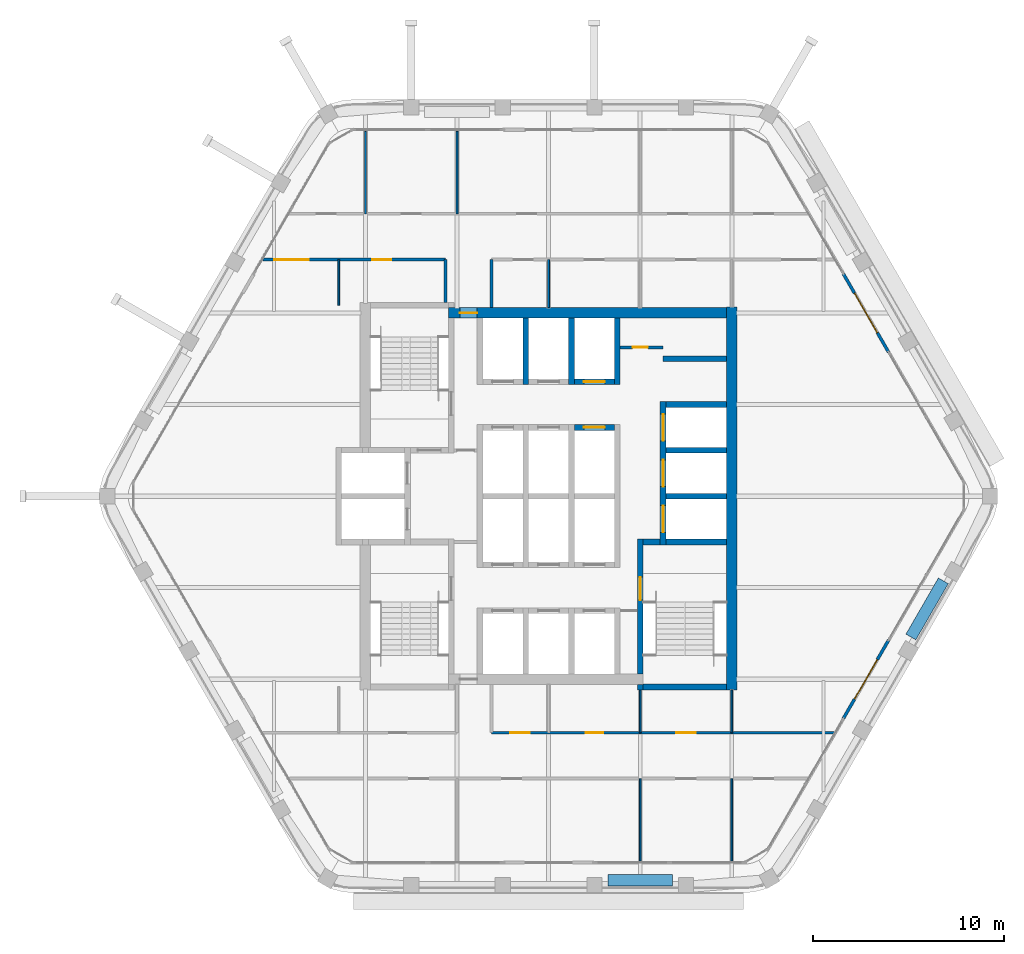
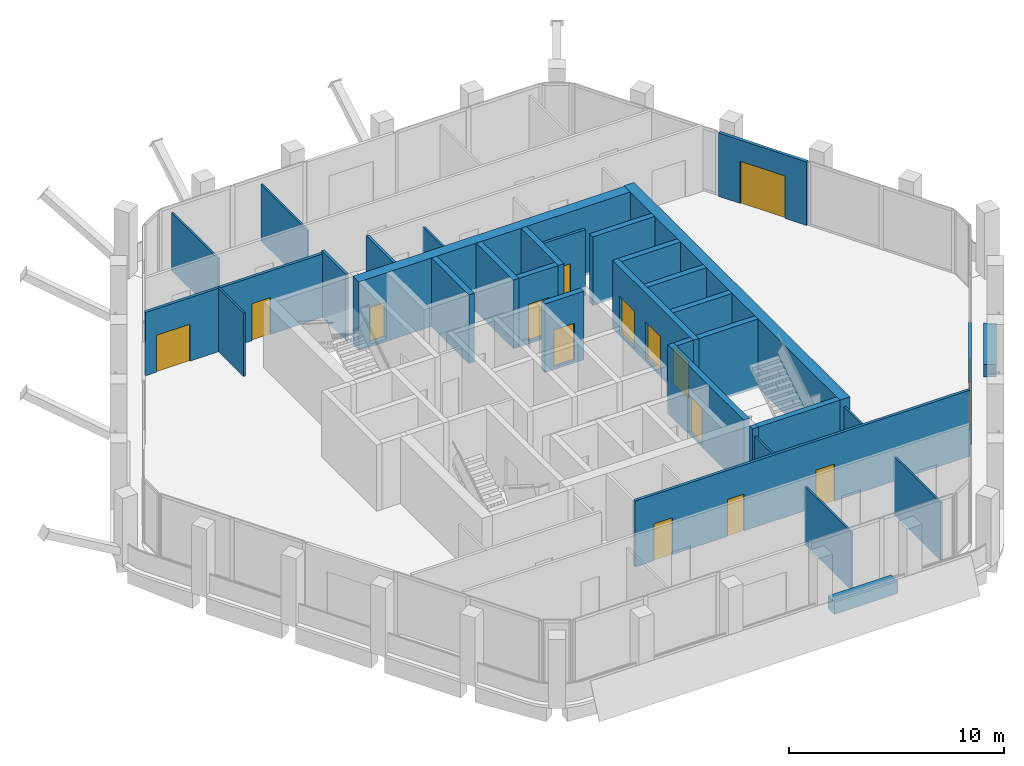
# One storey, part 9 of 14: 34 walls, 15 doors, 15 openings.
"""IFC4 building model written with IfcOpenShell, lengths in metres."""

from ifc_helpers import new_model, si_unit, direction, frame, frame_2d, origin, place, context, subcontext, project, spatial, rectangle, extrude, material, layer, layer_set, type_object, element, fill, save


model = new_model("IFC4")

# Units and contexts
model_context = context("Model", 3, precision=1e-05, world=origin(), true_north=direction((0.0, 1.0)))
body_context = subcontext(model_context, "Body", "Model", "MODEL_VIEW")
ifc_project = project(units=[si_unit("LENGTHUNIT", "METRE"), si_unit("AREAUNIT", "SQUARE_METRE"), si_unit("VOLUMEUNIT", "CUBIC_METRE"), si_unit("PLANEANGLEUNIT", "RADIAN"), si_unit("MASSUNIT", "GRAM", prefix="KILO")], contexts=[model_context])

# Site, building, storey
site_placement = place(None, origin())
site = spatial("IfcSite", under=ifc_project, at=site_placement, CompositionType="ELEMENT")
building_placement = place(site_placement, origin())
building = spatial("IfcBuilding", under=site, at=building_placement, Name="Kolab Exchange Tower", CompositionType="ELEMENT")
storey_placement = place(building_placement, frame((0.0, 0.0, 250.10009765625)))
storey = spatial("IfcBuildingStorey", under=building, at=storey_placement, Name="L55", CompositionType="ELEMENT", Elevation=250.10009765625)

# Wall, opening, door
ifc_material_1 = material(Name="Concrete C50/60", Category="concrete")
ifc_layer_1 = layer(ifc_material_1, 0.550048828125)
ifc_layer_set_1 = layer_set([ifc_layer_1], Name="Concrete C50/60")
wall_type_1 = type_object("IfcWallType", Name="CORE WALL 550 C50/60", PredefinedType="SHEAR", material=ifc_layer_set_1)
wall_1_placement = place(storey_placement, frame((-5.25, 9.60009765625, -0.150146484375), z_axis=(0.0, 0.0, 1.0), x_axis=(1.0, 0.0, 0.0)))
wall_1 = element("IfcWall", 1, at=wall_1_placement, inside=storey, type_object=wall_type_1, Name="wall/L55/core/031", PredefinedType="SHEAR", context=body_context, shape_type="SweptSolid", body=[
    extrude(rectangle(XDim=14.574951171875, YDim=0.550048828125, at=frame_2d((7.28759765625, 0.0))), origin(), (0.0, 0.0, 1.0), 3.900146484375),
])
opening_1_placement = place(wall_1_placement, frame((0.60009765625, 0.0, 0.14990234375)))
opening_1 = element("IfcOpeningElement", 2, at=opening_1_placement, cuts=wall_1, Name="Opening D6-295", PredefinedType="OPENING", context=body_context, shape_type="SweptSolid", body=[
    extrude(rectangle(XDim=0.89990234375, YDim=2.10009765625, at=frame_2d((0.449951171875, 1.050048828125))), frame((0.0, 0.28515625, 0.0), z_axis=(0.0, -1.0, 0.0), x_axis=(1.0, 0.0, 0.0)), (0.0, 0.0, 1.0), 0.570068359375),
])
ifc_material_2 = material(Name="Steel S235", Category="steel")
door_type_1 = type_object("IfcDoorType", Name="CORE DOOR 900 EI 120", OperationType="SINGLE_SWING_LEFT", PredefinedType="DOOR", material=ifc_material_2)
door_1_placement = place(opening_1_placement, frame((0.89990234375, 0.0, 0.0), z_axis=(0.0, 0.0, 1.0), x_axis=(-1.0, 0.0, 0.0)))
door_1 = element("IfcDoor", 3, at=door_1_placement, inside=storey, type_object=door_type_1, Name="Core lobby door", OperationType="SINGLE_SWING_RIGHT", OverallHeight=2.10009765625, OverallWidth=0.89990234375, PredefinedType="DOOR", context=body_context, shape_type="SweptSolid", body=[
    extrude(rectangle(XDim=0.89990234375, YDim=2.10009765625, at=frame_2d((0.449951171875, 1.050048828125))), frame((0.0, 0.02490234375, 0.0), z_axis=(0.0, -1.0, 0.0), x_axis=(1.0, 0.0, 0.0)), (0.0, 0.0, 1.0), 0.050048828125),
])
fill(opening_1, door_1)

# Wall
wall_2_placement = place(storey_placement, frame((9.60009765625, -10.14990234375, -0.150146484375), z_axis=(0.0, 0.0, 1.0), x_axis=(0.0, 1.0, 0.0)))
element("IfcWall", 4, at=wall_2_placement, inside=storey, type_object=wall_type_1, Name="wall/L55/core/058", PredefinedType="SHEAR", context=body_context, shape_type="SweptSolid", body=[
    extrude(rectangle(XDim=20.074951171875, YDim=0.550048828125, at=frame_2d((10.03759765625, 0.0))), origin(), (0.0, 0.0, 1.0), 3.900146484375),
])

# Wall, opening, door
ifc_material_3 = material(Name="Aluminium EN AW-6063 T6", Category="aluminium")
ifc_layer_2 = layer(ifc_material_3, 0.159912109375)
ifc_layer_set_2 = layer_set([ifc_layer_2], Name="Aluminium EN AW-6063 T6")
wall_type_2 = type_object("IfcWallType", Name="DOOR SURROUND WALL 160 ALUMINIUM FRAMED", PredefinedType="PARTITIONING", material=ifc_layer_set_2)
wall_3_placement = place(storey_placement, frame((15.44677734375, 11.65478515625, 0.0), z_axis=(0.0, 0.0, 1.0), x_axis=(0.499978080042, -0.866038058908, 0.0)))
wall_3 = element("IfcWall", 5, at=wall_3_placement, inside=storey, type_object=wall_type_2, Name="Door surround wall", PredefinedType="PARTITIONING", context=body_context, shape_type="SweptSolid", body=[
    extrude(rectangle(XDim=4.739990234375, YDim=0.159912109375, at=frame_2d((2.3701171875, 0.0))), origin(), (0.0, 0.0, 1.0), 3.599853515625),
])
opening_2_placement = place(wall_3_placement, frame((1.169921875, 0.0, 0.0)))
opening_2 = element("IfcOpeningElement", 6, at=opening_2_placement, cuts=wall_3, Name="Opening GD1-099", PredefinedType="OPENING", context=body_context, shape_type="SweptSolid", body=[
    extrude(rectangle(XDim=2.39990234375, YDim=2.39990234375, at=frame_2d((1.199951171875, 1.199951171875))), frame((0.0, 0.08984375, 0.0), z_axis=(0.0, -1.0, 0.0), x_axis=(1.0, 0.0, 0.0)), (0.0, 0.0, 1.0), 0.179931640625),
])
door_type_2 = type_object("IfcDoorType", Name="LOGGIA SLIDING GLASS DOOR 2400 X 2400", OperationType="DOUBLE_DOOR_SINGLE_SWING", PredefinedType="DOOR", material=ifc_material_3)
door_2_placement = place(opening_2_placement, origin())
door_2 = element("IfcDoor", 7, at=door_2_placement, inside=storey, type_object=door_type_2, Name="Loggia door", OperationType="DOUBLE_DOOR_SLIDING", OverallHeight=2.39990234375, OverallWidth=2.39990234375, PredefinedType="DOOR", context=body_context, shape_type="SweptSolid", body=[
    extrude(rectangle(XDim=2.39990234375, YDim=2.39990234375, at=frame_2d((1.199951171875, 1.199951171875))), frame((0.0, 0.02490234375, 0.0), z_axis=(0.0, -1.0, 0.0), x_axis=(1.0, 0.0, 0.0)), (0.0, 0.0, 1.0), 0.050048828125),
])
fill(opening_2, door_2)

wall_4_placement = place(storey_placement, frame((17.816650390625, -7.5498046875, 0.0), z_axis=(0.0, 0.0, 1.0), x_axis=(-0.499978080042, -0.866038058908, 0.0)))
wall_4 = element("IfcWall", 8, at=wall_4_placement, inside=storey, type_object=wall_type_2, Name="Door surround wall", PredefinedType="PARTITIONING", context=body_context, shape_type="SweptSolid", body=[
    extrude(rectangle(XDim=4.739990234375, YDim=0.159912109375, at=frame_2d((2.3701171875, 0.0))), origin(), (0.0, 0.0, 1.0), 3.599853515625),
])
opening_3_placement = place(wall_4_placement, frame((1.169921875, 0.0, 0.0)))
opening_3 = element("IfcOpeningElement", 9, at=opening_3_placement, cuts=wall_4, Name="Opening GD1-100", PredefinedType="OPENING", context=body_context, shape_type="SweptSolid", body=[
    extrude(rectangle(XDim=2.39990234375, YDim=2.39990234375, at=frame_2d((1.199951171875, 1.199951171875))), frame((0.0, 0.08984375, 0.0), z_axis=(0.0, -1.0, 0.0), x_axis=(1.0, 0.0, 0.0)), (0.0, 0.0, 1.0), 0.179931640625),
])
door_3_placement = place(opening_3_placement, origin())
door_3 = element("IfcDoor", 10, at=door_3_placement, inside=storey, type_object=door_type_2, Name="Loggia door", OperationType="DOUBLE_DOOR_SLIDING", OverallHeight=2.39990234375, OverallWidth=2.39990234375, PredefinedType="DOOR", context=body_context, shape_type="SweptSolid", body=[
    extrude(rectangle(XDim=2.39990234375, YDim=2.39990234375, at=frame_2d((1.199951171875, 1.199951171875))), frame((0.0, 0.02490234375, 0.0), z_axis=(0.0, -1.0, 0.0), x_axis=(1.0, 0.0, 0.0)), (0.0, 0.0, 1.0), 0.050048828125),
])
fill(opening_3, door_3)

# Walls
ifc_layer_3 = layer(ifc_material_1, 0.300048828125)
ifc_layer_set_3 = layer_set([ifc_layer_3], Name="Concrete C50/60")
wall_type_3 = type_object("IfcWallType", Name="LIFT SHAFT WALL 300 C50/60", PredefinedType="STANDARD", material=ifc_layer_set_3)
for number, where, z_axis, x_axis, name in (
    (11, (6.14990234375, 0.0, -0.150146484375), (0.0, 0.0, 1.0), (1.0, 0.0, 0.0), "wall/L55/core/018"),
    (12, (6.14990234375, 2.39990234375, -0.150146484375), (0.0, 0.0, 1.0), (1.0, 0.0, 0.0), "wall/L55/core/022"),
):
    element("IfcWall", number, at=place(storey_placement, frame(where, z_axis=z_axis, x_axis=x_axis)), inside=storey, type_object=wall_type_3, Name=name, PredefinedType="STANDARD", context=body_context, shape_type="SweptSolid", body=[
        extrude(rectangle(XDim=3.175048828125, YDim=0.300048828125, at=frame_2d((1.58740234375, 0.0))), origin(), (0.0, 0.0, 1.0), 3.900146484375),
    ])

# Wall, opening, door
wall_5_placement = place(storey_placement, frame((1.35009765625, 3.60009765625, -0.150146484375), z_axis=(0.0, 0.0, 1.0), x_axis=(1.0, 0.0, 0.0)))
wall_5 = element("IfcWall", 13, at=wall_5_placement, inside=storey, type_object=wall_type_3, Name="wall/L55/core/025", PredefinedType="STANDARD", context=body_context, shape_type="SweptSolid", body=[
    extrude(rectangle(XDim=2.099853515625, YDim=0.300048828125, at=frame_2d((1.0498046875, 0.0))), origin(), (0.0, 0.0, 1.0), 3.900146484375),
])
opening_4_placement = place(wall_5_placement, frame((0.5, 0.0, 0.14990234375)))
opening_4 = element("IfcOpeningElement", 14, at=opening_4_placement, cuts=wall_5, Name="Opening LD1-117", PredefinedType="OPENING", context=body_context, shape_type="SweptSolid", body=[
    extrude(rectangle(XDim=1.10009765625, YDim=2.10009765625, at=frame_2d((0.550048828125, 1.050048828125))), frame((0.0, 0.16015625, 0.0), z_axis=(0.0, -1.0, 0.0), x_axis=(1.0, 0.0, 0.0)), (0.0, 0.0, 1.0), 0.320068359375),
])
ifc_material_4 = material(Name="Stainless steel 316", Category="steel")
door_type_3 = type_object("IfcDoorType", Name="LANDING DOOR 1100 PASSENGER", OperationType="DOUBLE_DOOR_SLIDING", PredefinedType="DOOR", material=ifc_material_4)
door_4_placement = place(opening_4_placement, origin())
door_4 = element("IfcDoor", 15, at=door_4_placement, inside=storey, type_object=door_type_3, Name="Landing door HR6", OperationType="DOUBLE_DOOR_SLIDING", OverallHeight=2.10009765625, OverallWidth=1.10009765625, PredefinedType="DOOR", context=body_context, shape_type="SweptSolid", body=[
    extrude(rectangle(XDim=1.10009765625, YDim=2.10009765625, at=frame_2d((0.550048828125, 1.050048828125))), frame((0.0, 0.02490234375, 0.0), z_axis=(0.0, -1.0, 0.0), x_axis=(1.0, 0.0, 0.0)), (0.0, 0.0, 1.0), 0.050048828125),
])
fill(opening_4, door_4)

# Wall
wall_6_placement = place(storey_placement, frame((6.14990234375, 4.800048828125, -0.150146484375), z_axis=(0.0, 0.0, 1.0), x_axis=(1.0, 0.0, 0.0)))
element("IfcWall", 16, at=wall_6_placement, inside=storey, type_object=wall_type_3, Name="wall/L55/core/026", PredefinedType="STANDARD", context=body_context, shape_type="SweptSolid", body=[
    extrude(rectangle(XDim=3.175048828125, YDim=0.300048828125, at=frame_2d((1.58740234375, 0.0))), origin(), (0.0, 0.0, 1.0), 3.900146484375),
])

# Wall, opening, door
wall_7_placement = place(storey_placement, frame((1.35009765625, 6.0, -0.150146484375), z_axis=(0.0, 0.0, 1.0), x_axis=(1.0, 0.0, 0.0)))
wall_7 = element("IfcWall", 17, at=wall_7_placement, inside=storey, type_object=wall_type_3, Name="wall/L55/core/029", PredefinedType="STANDARD", context=body_context, shape_type="SweptSolid", body=[
    extrude(rectangle(XDim=2.099853515625, YDim=0.300048828125, at=frame_2d((1.0498046875, 0.0))), origin(), (0.0, 0.0, 1.0), 3.900146484375),
])
opening_5_placement = place(wall_7_placement, frame((0.5, 0.0, 0.14990234375)))
opening_5 = element("IfcOpeningElement", 18, at=opening_5_placement, cuts=wall_7, Name="Opening LD1-114", PredefinedType="OPENING", context=body_context, shape_type="SweptSolid", body=[
    extrude(rectangle(XDim=1.10009765625, YDim=2.10009765625, at=frame_2d((0.550048828125, 1.050048828125))), frame((0.0, 0.16015625, 0.0), z_axis=(0.0, -1.0, 0.0), x_axis=(1.0, 0.0, 0.0)), (0.0, 0.0, 1.0), 0.320068359375),
])
door_5_placement = place(opening_5_placement, origin())
door_5 = element("IfcDoor", 19, at=door_5_placement, inside=storey, type_object=door_type_3, Name="Landing door HR3", OperationType="DOUBLE_DOOR_SLIDING", OverallHeight=2.10009765625, OverallWidth=1.10009765625, PredefinedType="DOOR", context=body_context, shape_type="SweptSolid", body=[
    extrude(rectangle(XDim=1.10009765625, YDim=2.10009765625, at=frame_2d((0.550048828125, 1.050048828125))), frame((0.0, 0.02490234375, 0.0), z_axis=(0.0, -1.0, 0.0), x_axis=(1.0, 0.0, 0.0)), (0.0, 0.0, 1.0), 0.050048828125),
])
fill(opening_5, door_5)

# Walls
wall_8_placement = place(storey_placement, frame((6.0, 7.199951171875, -0.150146484375), z_axis=(0.0, 0.0, 1.0), x_axis=(1.0, 0.0, 0.0)))
element("IfcWall", 20, at=wall_8_placement, inside=storey, type_object=wall_type_3, Name="wall/L55/core/030", PredefinedType="STANDARD", context=body_context, shape_type="SweptSolid", body=[
    extrude(rectangle(XDim=3.324951171875, YDim=0.300048828125, at=frame_2d((1.66259765625, 0.0))), origin(), (0.0, 0.0, 1.0), 3.900146484375),
])
for number, where, z_axis, x_axis, name in (
    (21, (-1.199951171875, 5.85009765625, -0.150146484375), (0.0, 0.0, 1.0), (0.0, 1.0, 0.0), "wall/L55/core/048"),
    (22, (1.199951171875, 5.85009765625, -0.150146484375), (0.0, 0.0, 1.0), (0.0, 1.0, 0.0), "wall/L55/core/051"),
    (23, (3.60009765625, 5.85009765625, -0.150146484375), (0.0, 0.0, 1.0), (0.0, 1.0, 0.0), "wall/L55/core/054"),
):
    element("IfcWall", number, at=place(storey_placement, frame(where, z_axis=z_axis, x_axis=x_axis)), inside=storey, type_object=wall_type_3, Name=name, PredefinedType="STANDARD", context=body_context, shape_type="SweptSolid", body=[
        extrude(rectangle(XDim=3.474853515625, YDim=0.300048828125, at=frame_2d((1.7373046875, 0.0))), origin(), (0.0, 0.0, 1.0), 3.900146484375),
    ])

# Wall, openings, doors
wall_9_placement = place(storey_placement, frame((6.0, -2.550048828125, -0.150146484375), z_axis=(0.0, 0.0, 1.0), x_axis=(0.0, 1.0, 0.0)))
wall_9 = element("IfcWall", 24, at=wall_9_placement, inside=storey, type_object=wall_type_3, Name="wall/L55/core/057", PredefinedType="STANDARD", context=body_context, shape_type="SweptSolid", body=[
    extrude(rectangle(XDim=7.5, YDim=0.300048828125, at=frame_2d((3.75, 0.0))), origin(), (0.0, 0.0, 1.0), 3.900146484375),
])
opening_6_placement = place(wall_9_placement, frame((0.64990234375, 0.0, 0.14990234375)))
opening_6 = element("IfcOpeningElement", 25, at=opening_6_placement, cuts=wall_9, Name="Opening LD3-037", PredefinedType="OPENING", context=body_context, shape_type="SweptSolid", body=[
    extrude(rectangle(XDim=1.39990234375, YDim=2.10009765625, at=frame_2d((0.699951171875, 1.050048828125))), frame((0.0, 0.16015625, 0.0), z_axis=(0.0, -1.0, 0.0), x_axis=(1.0, 0.0, 0.0)), (0.0, 0.0, 1.0), 0.320068359375),
])
opening_7_placement = place(wall_9_placement, frame((3.050048828125, 0.0, 0.14990234375)))
opening_7 = element("IfcOpeningElement", 26, at=opening_7_placement, cuts=wall_9, Name="Opening LD3-038", PredefinedType="OPENING", context=body_context, shape_type="SweptSolid", body=[
    extrude(rectangle(XDim=1.39990234375, YDim=2.10009765625, at=frame_2d((0.699951171875, 1.050048828125))), frame((0.0, 0.16015625, 0.0), z_axis=(0.0, -1.0, 0.0), x_axis=(1.0, 0.0, 0.0)), (0.0, 0.0, 1.0), 0.320068359375),
])
opening_8_placement = place(wall_9_placement, frame((5.449951171875, 0.0, 0.14990234375)))
opening_8 = element("IfcOpeningElement", 27, at=opening_8_placement, cuts=wall_9, Name="Opening LD3-039", PredefinedType="OPENING", context=body_context, shape_type="SweptSolid", body=[
    extrude(rectangle(XDim=1.39990234375, YDim=2.10009765625, at=frame_2d((0.699951171875, 1.050048828125))), frame((0.0, 0.16015625, 0.0), z_axis=(0.0, -1.0, 0.0), x_axis=(1.0, 0.0, 0.0)), (0.0, 0.0, 1.0), 0.320068359375),
])
door_type_4 = type_object("IfcDoorType", Name="LANDING DOOR 1400 SERVICE", OperationType="DOUBLE_DOOR_SLIDING", PredefinedType="DOOR", material=ifc_material_4)
door_6_placement = place(opening_6_placement, origin())
door_6 = element("IfcDoor", 28, at=door_6_placement, inside=storey, type_object=door_type_4, Name="Landing door SV1", OperationType="DOUBLE_DOOR_SLIDING", OverallHeight=2.10009765625, OverallWidth=1.39990234375, PredefinedType="DOOR", context=body_context, shape_type="SweptSolid", body=[
    extrude(rectangle(XDim=1.39990234375, YDim=2.10009765625, at=frame_2d((0.699951171875, 1.050048828125))), frame((0.0, 0.02490234375, 0.0), z_axis=(0.0, -1.0, 0.0), x_axis=(1.0, 0.0, 0.0)), (0.0, 0.0, 1.0), 0.050048828125),
])
fill(opening_6, door_6)
door_7_placement = place(opening_7_placement, origin())
door_7 = element("IfcDoor", 29, at=door_7_placement, inside=storey, type_object=door_type_4, Name="Landing door SV2", OperationType="DOUBLE_DOOR_SLIDING", OverallHeight=2.10009765625, OverallWidth=1.39990234375, PredefinedType="DOOR", context=body_context, shape_type="SweptSolid", body=[
    extrude(rectangle(XDim=1.39990234375, YDim=2.10009765625, at=frame_2d((0.699951171875, 1.050048828125))), frame((0.0, 0.02490234375, 0.0), z_axis=(0.0, -1.0, 0.0), x_axis=(1.0, 0.0, 0.0)), (0.0, 0.0, 1.0), 0.050048828125),
])
fill(opening_7, door_7)
door_8_placement = place(opening_8_placement, origin())
door_8 = element("IfcDoor", 30, at=door_8_placement, inside=storey, type_object=door_type_4, Name="Landing door SV3", OperationType="DOUBLE_DOOR_SLIDING", OverallHeight=2.10009765625, OverallWidth=1.39990234375, PredefinedType="DOOR", context=body_context, shape_type="SweptSolid", body=[
    extrude(rectangle(XDim=1.39990234375, YDim=2.10009765625, at=frame_2d((0.699951171875, 1.050048828125))), frame((0.0, 0.02490234375, 0.0), z_axis=(0.0, -1.0, 0.0), x_axis=(1.0, 0.0, 0.0)), (0.0, 0.0, 1.0), 0.050048828125),
])
fill(opening_8, door_8)

# Walls
ifc_material_5 = material(Name="Gypsum board", Category="gypsum")
ifc_layer_4 = layer(ifc_material_5, 0.10009765625)
ifc_layer_set_4 = layer_set([ifc_layer_4], Name="Gypsum board")
wall_type_4 = type_object("IfcWallType", Name="PARTITION 100", PredefinedType="PARTITIONING", material=ifc_layer_set_4)
wall_10_placement = place(storey_placement, frame((9.60009765625, -19.114501953125, 0.0), z_axis=(0.0, 0.0, 1.0), x_axis=(0.0, 1.0, 0.0)))
element("IfcWall", 31, at=wall_10_placement, inside=storey, type_object=wall_type_4, Name="Partition 000", PredefinedType="PARTITIONING", context=body_context, shape_type="SweptSolid", body=[
    extrude(rectangle(XDim=4.314453125, YDim=0.10009765625, at=frame_2d((2.1572265625, 0.0))), origin(), (0.0, 0.0, 1.0), 3.29296875),
])
wall_11_placement = place(storey_placement, frame((9.60009765625, -12.39990234375, 0.0), z_axis=(0.0, 0.0, 1.0), x_axis=(0.0, 1.0, 0.0)))
element("IfcWall", 32, at=wall_11_placement, inside=storey, type_object=wall_type_4, Name="Partition 001", PredefinedType="PARTITIONING", context=body_context, shape_type="SweptSolid", body=[
    extrude(rectangle(XDim=2.25, YDim=0.10009765625, at=frame_2d((1.125, 0.0))), origin(), (0.0, 0.0, 1.0), 3.29296875),
])
wall_12_placement = place(storey_placement, frame((4.800048828125, -19.114501953125, 0.0), z_axis=(0.0, 0.0, 1.0), x_axis=(0.0, 1.0, 0.0)))
element("IfcWall", 33, at=wall_12_placement, inside=storey, type_object=wall_type_4, Name="Partition 004", PredefinedType="PARTITIONING", context=body_context, shape_type="SweptSolid", body=[
    extrude(rectangle(XDim=4.314453125, YDim=0.10009765625, at=frame_2d((2.1572265625, 0.0))), origin(), (0.0, 0.0, 1.0), 3.29296875),
])
wall_13_placement = place(storey_placement, frame((4.800048828125, -12.39990234375, 0.0), z_axis=(0.0, 0.0, 1.0), x_axis=(0.0, 1.0, 0.0)))
element("IfcWall", 34, at=wall_13_placement, inside=storey, type_object=wall_type_4, Name="Partition 005", PredefinedType="PARTITIONING", context=body_context, shape_type="SweptSolid", body=[
    extrude(rectangle(XDim=2.25, YDim=0.10009765625, at=frame_2d((1.125, 0.0))), origin(), (0.0, 0.0, 1.0), 3.29296875),
])
wall_14_placement = place(storey_placement, frame((0.0, 9.875, 0.0), z_axis=(0.0, 0.0, 1.0), x_axis=(0.0, 1.0, 0.0)))
element("IfcWall", 35, at=wall_14_placement, inside=storey, type_object=wall_type_4, Name="Partition 009", PredefinedType="PARTITIONING", context=body_context, shape_type="SweptSolid", body=[
    extrude(rectangle(XDim=2.52490234375, YDim=0.10009765625, at=frame_2d((1.262451171875, 0.0))), origin(), (0.0, 0.0, 1.0), 3.216796875),
])
wall_15_placement = place(storey_placement, frame((-4.800048828125, 14.800048828125, 0.0), z_axis=(0.0, 0.0, 1.0), x_axis=(0.0, 1.0, 0.0)))
element("IfcWall", 36, at=wall_15_placement, inside=storey, type_object=wall_type_4, Name="Partition 013", PredefinedType="PARTITIONING", context=body_context, shape_type="SweptSolid", body=[
    extrude(rectangle(XDim=4.314453125, YDim=0.10009765625, at=frame_2d((2.1572265625, 0.0))), origin(), (0.0, 0.0, 1.0), 3.216796875),
])
wall_16_placement = place(storey_placement, frame((-9.60009765625, 14.800048828125, 0.0), z_axis=(0.0, 0.0, 1.0), x_axis=(0.0, 1.0, 0.0)))
element("IfcWall", 37, at=wall_16_placement, inside=storey, type_object=wall_type_4, Name="Partition 016", PredefinedType="PARTITIONING", context=body_context, shape_type="SweptSolid", body=[
    extrude(rectangle(XDim=4.314453125, YDim=0.10009765625, at=frame_2d((2.1572265625, 0.0))), origin(), (0.0, 0.0, 1.0), 3.29296875),
])
wall_17_placement = place(storey_placement, frame((-11.0, 10.0, 0.0), z_axis=(0.0, 0.0, 1.0), x_axis=(0.0, 1.0, 0.0)))
element("IfcWall", 38, at=wall_17_placement, inside=storey, type_object=wall_type_4, Name="Partition 018", PredefinedType="PARTITIONING", context=body_context, shape_type="SweptSolid", body=[
    extrude(rectangle(XDim=2.39990234375, YDim=0.10009765625, at=frame_2d((1.199951171875, 0.0))), origin(), (0.0, 0.0, 1.0), 3.599853515625),
])
ifc_layer_5 = layer(ifc_material_5, 0.14990234375)
ifc_layer_set_5 = layer_set([ifc_layer_5], Name="Gypsum board")
wall_type_5 = type_object("IfcWallType", Name="PARTITION 150 FIRE-RATED", PredefinedType="PARTITIONING", material=ifc_layer_set_5)
wall_18_placement = place(storey_placement, frame((-3.0, 9.875, 0.0), z_axis=(0.0, 0.0, 1.0), x_axis=(0.0, 1.0, 0.0)))
element("IfcWall", 39, at=wall_18_placement, inside=storey, type_object=wall_type_5, Name="Partition 011", PredefinedType="PARTITIONING", context=body_context, shape_type="SweptSolid", body=[
    extrude(rectangle(XDim=2.52490234375, YDim=0.14990234375, at=frame_2d((1.262451171875, 0.0))), origin(), (0.0, 0.0, 1.0), 3.75),
])
wall_19_placement = place(storey_placement, frame((-5.39990234375, 10.14990234375, 0.0), z_axis=(0.0, 0.0, 1.0), x_axis=(0.0, 1.0, 0.0)))
element("IfcWall", 40, at=wall_19_placement, inside=storey, type_object=wall_type_5, Name="Partition 015", PredefinedType="PARTITIONING", context=body_context, shape_type="SweptSolid", body=[
    extrude(rectangle(XDim=2.25, YDim=0.14990234375, at=frame_2d((1.125, 0.0))), origin(), (0.0, 0.0, 1.0), 3.75),
])

# Wall, openings, doors
wall_20_placement = place(storey_placement, frame((-3.0, -12.39990234375, 0.0), z_axis=(0.0, 0.0, 1.0), x_axis=(1.0, 0.0, 0.0)))
wall_20 = element("IfcWall", 41, at=wall_20_placement, inside=storey, type_object=wall_type_5, Name="Partition 021", PredefinedType="PARTITIONING", context=body_context, shape_type="SweptSolid", body=[
    extrude(rectangle(XDim=17.97021484375, YDim=0.14990234375, at=frame_2d((8.985107421875, 0.0))), origin(), (0.0, 0.0, 1.0), 3.75),
])
opening_9_placement = place(wall_20_placement, frame((1.0, 0.0, 0.0)))
opening_9 = element("IfcOpeningElement", 42, at=opening_9_placement, cuts=wall_20, Name="Opening D1-675", PredefinedType="OPENING", context=body_context, shape_type="SweptSolid", body=[
    extrude(rectangle(XDim=1.0, YDim=2.10009765625, at=frame_2d((0.5, 1.050048828125))), frame((0.0, 0.0849609375, 0.0), z_axis=(0.0, -1.0, 0.0), x_axis=(1.0, 0.0, 0.0)), (0.0, 0.0, 1.0), 0.169921875),
])
opening_10_placement = place(wall_20_placement, frame((4.949951171875, 0.0, 0.0)))
opening_10 = element("IfcOpeningElement", 43, at=opening_10_placement, cuts=wall_20, Name="Opening D3-080", PredefinedType="OPENING", context=body_context, shape_type="SweptSolid", body=[
    extrude(rectangle(XDim=0.89990234375, YDim=2.10009765625, at=frame_2d((0.449951171875, 1.050048828125))), frame((0.0, 0.0849609375, 0.0), z_axis=(0.0, -1.0, 0.0), x_axis=(1.0, 0.0, 0.0)), (0.0, 0.0, 1.0), 0.169921875),
])
opening_11_placement = place(wall_20_placement, frame((9.699951171875, 0.0, 0.0)))
opening_11 = element("IfcOpeningElement", 44, at=opening_11_placement, cuts=wall_20, Name="Opening D1-676", PredefinedType="OPENING", context=body_context, shape_type="SweptSolid", body=[
    extrude(rectangle(XDim=1.0, YDim=2.10009765625, at=frame_2d((0.5, 1.050048828125))), frame((0.0, 0.0849609375, 0.0), z_axis=(0.0, -1.0, 0.0), x_axis=(1.0, 0.0, 0.0)), (0.0, 0.0, 1.0), 0.169921875),
])
door_type_5 = type_object("IfcDoorType", Name="FLUSH DOOR 1000 FD60", OperationType="SINGLE_SWING_LEFT", PredefinedType="DOOR", material=ifc_material_2)
door_9_placement = place(opening_9_placement, origin())
door_9 = element("IfcDoor", 45, at=door_9_placement, inside=storey, type_object=door_type_5, Name="Door L55-035", OperationType="SINGLE_SWING_LEFT", OverallHeight=2.10009765625, OverallWidth=1.0, PredefinedType="DOOR", context=body_context, shape_type="SweptSolid", body=[
    extrude(rectangle(XDim=1.0, YDim=2.10009765625, at=frame_2d((0.5, 1.050048828125))), frame((0.0, 0.02490234375, 0.0), z_axis=(0.0, -1.0, 0.0), x_axis=(1.0, 0.0, 0.0)), (0.0, 0.0, 1.0), 0.050048828125),
])
fill(opening_9, door_9)
door_10_placement = place(opening_11_placement, origin())
door_10 = element("IfcDoor", 46, at=door_10_placement, inside=storey, type_object=door_type_5, Name="Door L55-037", OperationType="SINGLE_SWING_LEFT", OverallHeight=2.10009765625, OverallWidth=1.0, PredefinedType="DOOR", context=body_context, shape_type="SweptSolid", body=[
    extrude(rectangle(XDim=1.0, YDim=2.10009765625, at=frame_2d((0.5, 1.050048828125))), frame((0.0, 0.02490234375, 0.0), z_axis=(0.0, -1.0, 0.0), x_axis=(1.0, 0.0, 0.0)), (0.0, 0.0, 1.0), 0.050048828125),
])
fill(opening_11, door_10)
door_type_6 = type_object("IfcDoorType", Name="FLUSH DOOR 900 FD60", OperationType="SINGLE_SWING_LEFT", PredefinedType="DOOR", material=ifc_material_2)
door_11_placement = place(opening_10_placement, origin())
door_11 = element("IfcDoor", 47, at=door_11_placement, inside=storey, type_object=door_type_6, Name="Door L55-036", OperationType="SINGLE_SWING_RIGHT", OverallHeight=2.10009765625, OverallWidth=0.89990234375, PredefinedType="DOOR", context=body_context, shape_type="SweptSolid", body=[
    extrude(rectangle(XDim=0.89990234375, YDim=2.10009765625, at=frame_2d((0.449951171875, 1.050048828125))), frame((0.0, 0.02490234375, 0.0), z_axis=(0.0, -1.0, 0.0), x_axis=(1.0, 0.0, 0.0)), (0.0, 0.0, 1.0), 0.050048828125),
])
fill(opening_10, door_11)

# Wall, opening, door
wall_21_placement = place(storey_placement, frame((3.75, 7.800048828125, 0.0), z_axis=(0.0, 0.0, 1.0), x_axis=(1.0, 0.0, 0.0)))
wall_21 = element("IfcWall", 48, at=wall_21_placement, inside=storey, type_object=wall_type_5, Name="Partition 023", PredefinedType="PARTITIONING", context=body_context, shape_type="SweptSolid", body=[
    extrude(rectangle(XDim=2.25, YDim=0.14990234375, at=frame_2d((1.125, 0.0))), origin(), (0.0, 0.0, 1.0), 3.75),
])
opening_12_placement = place(wall_21_placement, frame((0.64990234375, 0.0, 0.0)))
opening_12 = element("IfcOpeningElement", 49, at=opening_12_placement, cuts=wall_21, Name="Opening D7-035", PredefinedType="OPENING", context=body_context, shape_type="SweptSolid", body=[
    extrude(rectangle(XDim=0.800048828125, YDim=2.10009765625, at=frame_2d((0.39990234375, 1.050048828125))), frame((0.0, 0.0849609375, 0.0), z_axis=(0.0, -1.0, 0.0), x_axis=(1.0, 0.0, 0.0)), (0.0, 0.0, 1.0), 0.169921875),
])
door_type_7 = type_object("IfcDoorType", Name="FLUSH DOOR 800 FD60", OperationType="SINGLE_SWING_LEFT", PredefinedType="DOOR", material=ifc_material_2)
door_12_placement = place(opening_12_placement, origin())
door_12 = element("IfcDoor", 50, at=door_12_placement, inside=storey, type_object=door_type_7, Name="Door L55-023", OperationType="SINGLE_SWING_LEFT", OverallHeight=2.10009765625, OverallWidth=0.800048828125, PredefinedType="DOOR", context=body_context, shape_type="SweptSolid", body=[
    extrude(rectangle(XDim=0.800048828125, YDim=2.10009765625, at=frame_2d((0.39990234375, 1.050048828125))), frame((0.0, 0.02490234375, 0.0), z_axis=(0.0, -1.0, 0.0), x_axis=(1.0, 0.0, 0.0)), (0.0, 0.0, 1.0), 0.050048828125),
])
fill(opening_12, door_12)

# Wall, openings, doors
wall_22_placement = place(storey_placement, frame((-14.97021484375, 12.39990234375, 0.0), z_axis=(0.0, 0.0, 1.0), x_axis=(1.0, 0.0, 0.0)))
wall_22 = element("IfcWall", 51, at=wall_22_placement, inside=storey, type_object=wall_type_5, Name="Partition 024", PredefinedType="PARTITIONING", context=body_context, shape_type="SweptSolid", body=[
    extrude(rectangle(XDim=9.5703125, YDim=0.14990234375, at=frame_2d((4.78515625, 0.0))), origin(), (0.0, 0.0, 1.0), 3.599853515625),
])
opening_13_placement = place(wall_22_placement, frame((5.715087890625, 0.0, 0.0)))
opening_13 = element("IfcOpeningElement", 52, at=opening_13_placement, cuts=wall_22, Name="Opening D1-686", PredefinedType="OPENING", context=body_context, shape_type="SweptSolid", body=[
    extrude(rectangle(XDim=1.0, YDim=2.10009765625, at=frame_2d((0.5, 1.050048828125))), frame((0.0, 0.0849609375, 0.0), z_axis=(0.0, -1.0, 0.0), x_axis=(1.0, 0.0, 0.0)), (0.0, 0.0, 1.0), 0.169921875),
])
opening_14_placement = place(wall_22_placement, frame((0.588623046875, 0.0, 0.0)))
opening_14 = element("IfcOpeningElement", 53, at=opening_14_placement, cuts=wall_22, Name="Opening D2-071", PredefinedType="OPENING", context=body_context, shape_type="SweptSolid", body=[
    extrude(rectangle(XDim=1.800048828125, YDim=2.10009765625, at=frame_2d((0.89990234375, 1.050048828125))), frame((0.0, 0.0849609375, 0.0), z_axis=(0.0, -1.0, 0.0), x_axis=(1.0, 0.0, 0.0)), (0.0, 0.0, 1.0), 0.169921875),
])
door_type_8 = type_object("IfcDoorType", Name="DOUBLE DOOR 1800 FD60", OperationType="DOUBLE_DOOR_SINGLE_SWING", PredefinedType="DOOR", material=ifc_material_2)
door_13_placement = place(opening_14_placement, frame((1.800048828125, 0.0, 0.0), z_axis=(0.0, 0.0, 1.0), x_axis=(-1.0, 0.0, 0.0)))
door_13 = element("IfcDoor", 54, at=door_13_placement, inside=storey, type_object=door_type_8, Name="Door L55-049", OperationType="SINGLE_SWING_LEFT", OverallHeight=2.10009765625, OverallWidth=1.800048828125, PredefinedType="DOOR", context=body_context, shape_type="SweptSolid", body=[
    extrude(rectangle(XDim=1.800048828125, YDim=2.10009765625, at=frame_2d((0.89990234375, 1.050048828125))), frame((0.0, 0.02490234375, 0.0), z_axis=(0.0, -1.0, 0.0), x_axis=(1.0, 0.0, 0.0)), (0.0, 0.0, 1.0), 0.050048828125),
])
fill(opening_14, door_13)
door_14_placement = place(opening_13_placement, frame((1.0, 0.0, 0.0), z_axis=(0.0, 0.0, 1.0), x_axis=(-1.0, 0.0, 0.0)))
door_14 = element("IfcDoor", 55, at=door_14_placement, inside=storey, type_object=door_type_5, Name="Door L55-034", OperationType="SINGLE_SWING_LEFT", OverallHeight=2.10009765625, OverallWidth=1.0, PredefinedType="DOOR", context=body_context, shape_type="SweptSolid", body=[
    extrude(rectangle(XDim=1.0, YDim=2.10009765625, at=frame_2d((0.5, 1.050048828125))), frame((0.0, 0.02490234375, 0.0), z_axis=(0.0, -1.0, 0.0), x_axis=(1.0, 0.0, 0.0)), (0.0, 0.0, 1.0), 0.050048828125),
])
fill(opening_13, door_14)

# Walls
ifc_material_6 = material(Name="Granite facing", Category="masonry")
ifc_layer_6 = layer(ifc_material_6, 0.0400390625)
ifc_material_7 = material(Name="Concrete C40/50 precast", Category="concrete")
ifc_layer_7 = layer(ifc_material_7, 0.56005859375)
ifc_layer_set_6 = layer_set([ifc_layer_6, ifc_layer_7], Name="Concrete C40/50 precast")
wall_type_6 = type_object("IfcWallType", Name="PLANTER BOX 600 X 700 SOIL DEPTH 550", PredefinedType="USERDEFINED", material=ifc_layer_set_6)
for number, where, z_axis, x_axis, name in (
    (56, (20.68701171875, -4.438232421875, 0.0), (0.0, 0.0, 1.0), (-0.500008388397, -0.866020560687, 0.0), "Planter"),
    (57, (6.5, -20.134521484375, 0.0), (0.0, 0.0, 1.0), (-1.0, 0.0, 0.0), "Planter"),
):
    element("IfcWall", number, at=place(storey_placement, frame(where, z_axis=z_axis, x_axis=x_axis)), inside=storey, type_object=wall_type_6, Name=name, ObjectType="PLANTER", PredefinedType="USERDEFINED", context=body_context, shape_type="SweptSolid", body=[
        extrude(rectangle(XDim=3.39990234375, YDim=0.60009765625, at=frame_2d((1.699951171875, 0.0))), origin(), (0.0, 0.0, 1.0), 0.699951171875),
    ])
ifc_layer_8 = layer(ifc_material_1, 0.300048828125)
ifc_layer_set_7 = layer_set([ifc_layer_8], Name="Concrete C50/60")
wall_type_7 = type_object("IfcWallType", Name="STAIR ENCLOSURE WALL 300 C50/60", PredefinedType="STANDARD", material=ifc_layer_set_7)
wall_23_placement = place(storey_placement, frame((4.949951171875, -10.0, -0.150146484375), z_axis=(0.0, 0.0, 1.0), x_axis=(1.0, 0.0, 0.0)))
element("IfcWall", 58, at=wall_23_placement, inside=storey, type_object=wall_type_7, Name="wall/L55/core/001", PredefinedType="STANDARD", context=body_context, shape_type="SweptSolid", body=[
    extrude(rectangle(XDim=4.375, YDim=0.300048828125, at=frame_2d((2.1875, 0.0))), origin(), (0.0, 0.0, 1.0), 3.900146484375),
])
wall_24_placement = place(storey_placement, frame((4.949951171875, -2.39990234375, -0.150146484375), z_axis=(0.0, 0.0, 1.0), x_axis=(1.0, 0.0, 0.0)))
element("IfcWall", 59, at=wall_24_placement, inside=storey, type_object=wall_type_7, Name="wall/L55/core/012", PredefinedType="STANDARD", context=body_context, shape_type="SweptSolid", body=[
    extrude(rectangle(XDim=0.900146484375, YDim=0.300048828125, at=frame_2d((0.4501953125, 0.0))), origin(), (0.0, 0.0, 1.0), 3.900146484375),
])
wall_25_placement = place(storey_placement, frame((6.14990234375, -2.39990234375, -0.150146484375), z_axis=(0.0, 0.0, 1.0), x_axis=(1.0, 0.0, 0.0)))
element("IfcWall", 60, at=wall_25_placement, inside=storey, type_object=wall_type_7, Name="wall/L55/core/013", PredefinedType="STANDARD", context=body_context, shape_type="SweptSolid", body=[
    extrude(rectangle(XDim=3.175048828125, YDim=0.300048828125, at=frame_2d((1.58740234375, 0.0))), origin(), (0.0, 0.0, 1.0), 3.900146484375),
])
wall_26_placement = place(storey_placement, frame((4.800048828125, -10.14990234375, -0.150146484375), z_axis=(0.0, 0.0, 1.0), x_axis=(0.0, 1.0, 0.0)))
element("IfcWall", 61, at=wall_26_placement, inside=storey, type_object=wall_type_7, Name="wall/L55/core/055", PredefinedType="STANDARD", context=body_context, shape_type="SweptSolid", body=[
    extrude(rectangle(XDim=0.27490234375, YDim=0.300048828125, at=frame_2d((0.137451171875, 0.0))), origin(), (0.0, 0.0, 1.0), 3.900146484375),
])

# Wall, opening, door
wall_27_placement = place(storey_placement, frame((4.800048828125, -9.324951171875, -0.150146484375), z_axis=(0.0, 0.0, 1.0), x_axis=(0.0, 1.0, 0.0)))
wall_27 = element("IfcWall", 62, at=wall_27_placement, inside=storey, type_object=wall_type_7, Name="wall/L55/core/056", PredefinedType="STANDARD", context=body_context, shape_type="SweptSolid", body=[
    extrude(rectangle(XDim=7.074951171875, YDim=0.300048828125, at=frame_2d((3.53759765625, 0.0))), origin(), (0.0, 0.0, 1.0), 3.900146484375),
])
opening_15_placement = place(wall_27_placement, frame((3.875, 0.0, 0.14990234375)))
opening_15 = element("IfcOpeningElement", 63, at=opening_15_placement, cuts=wall_27, Name="Opening D4-077", PredefinedType="OPENING", context=body_context, shape_type="SweptSolid", body=[
    extrude(rectangle(XDim=1.199951171875, YDim=2.10009765625, at=frame_2d((0.60009765625, 1.050048828125))), frame((0.0, 0.16015625, 0.0), z_axis=(0.0, -1.0, 0.0), x_axis=(1.0, 0.0, 0.0)), (0.0, 0.0, 1.0), 0.320068359375),
])
door_type_9 = type_object("IfcDoorType", Name="STAIR DOOR 1200 EI 120", OperationType="SINGLE_SWING_LEFT", PredefinedType="DOOR", material=ifc_material_2)
door_15_placement = place(opening_15_placement, frame((1.199951171875, 0.0, 0.0), z_axis=(0.0, 0.0, 1.0), x_axis=(-1.0, 0.0, 0.0)))
door_15 = element("IfcDoor", 64, at=door_15_placement, inside=storey, type_object=door_type_9, Name="Stair 2 door", OperationType="SINGLE_SWING_RIGHT", OverallHeight=2.10009765625, OverallWidth=1.199951171875, PredefinedType="DOOR", context=body_context, shape_type="SweptSolid", body=[
    extrude(rectangle(XDim=1.199951171875, YDim=2.10009765625, at=frame_2d((0.60009765625, 1.050048828125))), frame((0.0, 0.02490234375, 0.0), z_axis=(0.0, -1.0, 0.0), x_axis=(1.0, 0.0, 0.0)), (0.0, 0.0, 1.0), 0.050048828125),
])
fill(opening_15, door_15)

save(model, "model.ifc")
